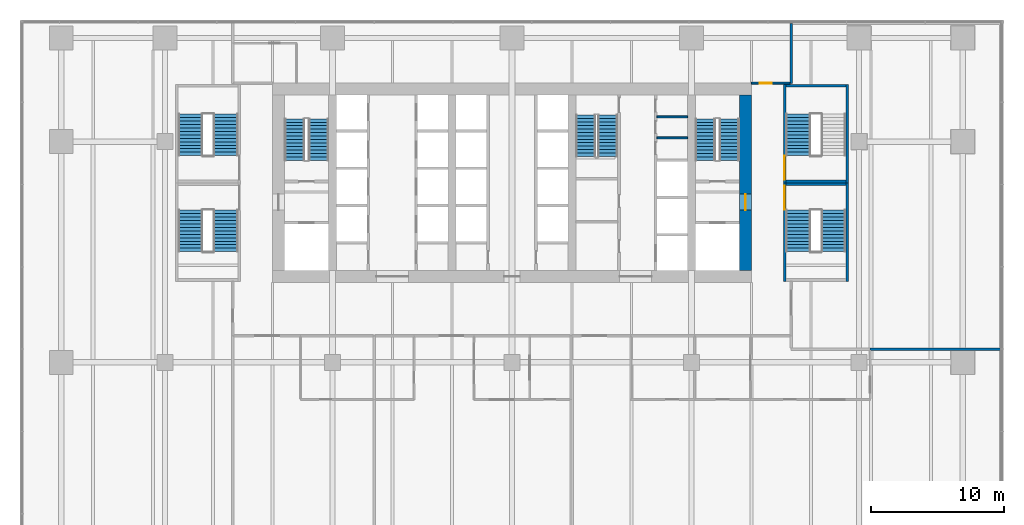
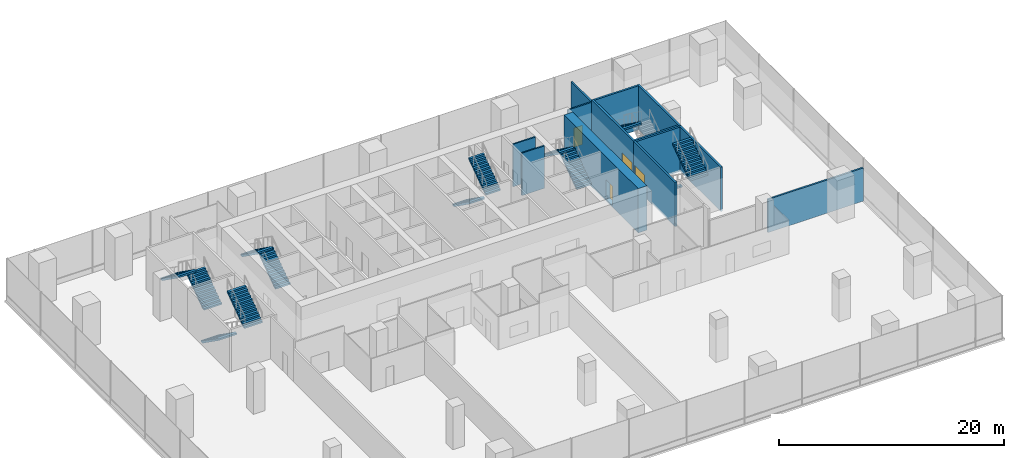
# One storey, part 22 of 29: 13 stair flights, 13 walls, 4 doors, 4 openings, 7 elements without a shape of their own.
"""IFC4 building model written with IfcOpenShell, lengths in metres."""

from ifc_helpers import new_model, si_unit, direction, frame, frame_2d, origin, place, context, subcontext, project, spatial, polyline, rectangle, outline, extrude, material, layer, layer_set, type_object, element, fill, aggregate, save


model = new_model("IFC4")

# Units and contexts
model_context = context("Model", 3, precision=1e-05, world=origin(), true_north=direction((0.0, 1.0)))
body_context = subcontext(model_context, "Body", "Model", "MODEL_VIEW")
ifc_project = project(units=[si_unit("LENGTHUNIT", "METRE"), si_unit("AREAUNIT", "SQUARE_METRE"), si_unit("VOLUMEUNIT", "CUBIC_METRE"), si_unit("PLANEANGLEUNIT", "RADIAN"), si_unit("MASSUNIT", "GRAM", prefix="KILO")], contexts=[model_context])

# Site, building, storey
site_placement = place(None, origin())
site = spatial("IfcSite", under=ifc_project, at=site_placement, CompositionType="ELEMENT")
building_placement = place(site_placement, origin())
building = spatial("IfcBuilding", under=site, at=building_placement, Name="Rattan Terrace Tower", CompositionType="ELEMENT")
storey_placement = place(building_placement, frame((0.0, 0.0, 12.60009765625)))
storey = spatial("IfcBuildingStorey", under=building, at=storey_placement, Name="L02", CompositionType="ELEMENT", Elevation=12.60009765625)

# Walls
ifc_material_1 = material(Name="Gypsum board partition")
ifc_layer_1 = layer(ifc_material_1, 0.14990234375)
ifc_layer_set_1 = layer_set([ifc_layer_1], Name="Core partition 150")
wall_type_1 = type_object("IfcWallType", Name="Core partition 150", PredefinedType="PARTITIONING", material=ifc_layer_set_1)
for number, where, z_axis, x_axis, name in (
    (1, (10.89990234375, 3.384033203125, 0.0), (0.0, 0.0, 1.0), (1.0, 0.0, 0.0), "Riser room wall"),
    (2, (10.89990234375, 4.968017578125, 0.0), (0.0, 0.0, 1.0), (1.0, 0.0, 0.0), "Riser room wall"),
):
    element("IfcWall", number, at=place(storey_placement, frame(where, z_axis=z_axis, x_axis=x_axis)), inside=storey, type_object=wall_type_1, Name=name, PredefinedType="PARTITIONING", context=body_context, shape_type="SweptSolid", body=[
        extrude(rectangle(XDim=2.300048828125, YDim=0.14990234375, at=frame_2d((1.14990234375, 0.0))), origin(), (0.0, 0.0, 1.0), 4.599853515625),
    ])

# Wall, opening, door
ifc_material_2 = material(Name="Concrete C70/85", Category="concrete")
ifc_layer_2 = layer(ifc_material_2, 0.89990234375)
ifc_layer_set_2 = layer_set([ifc_layer_2], Name="Core ring wall 900 C70/85")
wall_type_2 = type_object("IfcWallType", Name="Core ring wall 900 C70/85", PredefinedType="SHEAR", material=ifc_layer_set_2)
wall_1_placement = place(storey_placement, frame((17.550048828125, -6.60009765625, -0.2001953125), z_axis=(0.0, 0.0, 1.0), x_axis=(0.0, 1.0, 0.0)))
wall_1 = element("IfcWall", 3, at=wall_1_placement, inside=storey, type_object=wall_type_2, Name="Rear core wall east", PredefinedType="SHEAR", context=body_context, shape_type="SweptSolid", body=[
    extrude(rectangle(XDim=13.2001953125, YDim=0.89990234375, at=frame_2d((6.60009765625, 0.0))), origin(), (0.0, 0.0, 1.0), 4.800048828125),
])
opening_1_placement = place(wall_1_placement, frame((4.550048828125, 0.0, 0.199951171875)))
opening_1 = element("IfcOpeningElement", 4, at=opening_1_placement, cuts=wall_1, Name="Opening L02-D003", PredefinedType="OPENING", context=body_context, shape_type="SweptSolid", body=[
    extrude(rectangle(XDim=1.199951171875, YDim=2.10009765625, at=frame_2d((0.60009765625, 1.050048828125))), frame((0.0, 0.46044921875, 0.0), z_axis=(0.0, -1.0, 0.0), x_axis=(1.0, 0.0, 0.0)), (0.0, 0.0, 1.0), 0.9208984375),
])
ifc_material_3 = material(Name="Hollow-metal fire door leaf")
door_type_1 = type_object("IfcDoorType", Name="Core fire-fighting lobby door 1200", OperationType="NOTDEFINED", PredefinedType="DOOR", material=ifc_material_3)
door_1_placement = place(opening_1_placement, origin())
door_1 = element("IfcDoor", 5, at=door_1_placement, inside=storey, type_object=door_type_1, Name="Door L02-D003", OperationType="SINGLE_SWING_LEFT", OverallHeight=2.10009765625, OverallWidth=1.199951171875, PredefinedType="DOOR", context=body_context, shape_type="SweptSolid", body=[
    extrude(rectangle(XDim=1.199951171875, YDim=2.10009765625, at=frame_2d((0.60009765625, 1.050048828125))), frame((0.0, 0.02490234375, 0.0), z_axis=(0.0, -1.0, 0.0), x_axis=(1.0, 0.0, 0.0)), (0.0, 0.0, 1.0), 0.050048828125),
])
fill(opening_1, door_1)

# Walls
ifc_material_4 = material(Name="Double steel stud acoustic partition, gypsum board, mineral wool, fire rated", Category="steel")
ifc_layer_3 = layer(ifc_material_4, 0.179931640625)
ifc_layer_set_3 = layer_set([ifc_layer_3], Name="Floors Acoustic Party Wall 180")
wall_type_3 = type_object("IfcWallType", Name="Floors Acoustic Party Wall 180", PredefinedType="PARTITIONING", material=ifc_layer_set_3)
wall_2_placement = place(storey_placement, frame((26.93994140625, -12.4990234375, 0.0), z_axis=(0.0, 0.0, 1.0), x_axis=(1.0, 0.0, 0.0)))
element("IfcWall", 6, at=wall_2_placement, inside=storey, type_object=wall_type_3, Name="pt-L02-035", PredefinedType="PARTITIONING", context=body_context, shape_type="SweptSolid", body=[
    extrude(rectangle(XDim=9.800048828125, YDim=0.179931640625, at=frame_2d((4.89990234375, 0.0))), origin(), (0.0, 0.0, 1.0), 3.599853515625),
])
wall_3_placement = place(storey_placement, frame((21.0, 7.47998046875, 0.0), z_axis=(0.0, 0.0, 1.0), x_axis=(0.0, 1.0, 0.0)))
element("IfcWall", 7, at=wall_3_placement, inside=storey, type_object=wall_type_3, Name="pt-L02-041", PredefinedType="PARTITIONING", context=body_context, shape_type="SweptSolid", body=[
    extrude(rectangle(XDim=4.510009765625, YDim=0.179931640625, at=frame_2d((2.2548828125, 0.0))), origin(), (0.0, 0.0, 1.0), 3.599853515625),
])

# Wall, opening, door
ifc_material_5 = material(Name="Gypsum board partition on steel studs, fire rated", Category="steel")
ifc_layer_4 = layer(ifc_material_5, 0.14990234375)
ifc_layer_set_4 = layer_set([ifc_layer_4], Name="Floors Tenancy Wall 150")
wall_type_4 = type_object("IfcWallType", Name="Floors Tenancy Wall 150", PredefinedType="PARTITIONING", material=ifc_layer_set_4)
wall_4_placement = place(storey_placement, frame((18.0, 7.4990234375, 0.0), z_axis=(0.0, 0.0, 1.0), x_axis=(1.0, 0.0, 0.0)))
wall_4 = element("IfcWall", 8, at=wall_4_placement, inside=storey, type_object=wall_type_4, Name="pt-L02-013", PredefinedType="PARTITIONING", context=body_context, shape_type="SweptSolid", body=[
    extrude(rectangle(XDim=2.909912109375, YDim=0.14990234375, at=frame_2d((1.455078125, 0.0))), origin(), (0.0, 0.0, 1.0), 4.2998046875),
])
opening_2_placement = place(wall_4_placement, frame((0.6279296875, 0.0, 0.0)))
opening_2 = element("IfcOpeningElement", 9, at=opening_2_placement, cuts=wall_4, Name="Opening L02-D112", PredefinedType="OPENING", context=body_context, shape_type="SweptSolid", body=[
    extrude(rectangle(XDim=0.89990234375, YDim=2.10009765625, at=frame_2d((0.449951171875, 1.050048828125))), frame((0.0, 0.08544921875, 0.0), z_axis=(0.0, -1.0, 0.0), x_axis=(1.0, 0.0, 0.0)), (0.0, 0.0, 1.0), 0.1708984375),
])
ifc_material_6 = material(Name="Steel fire door set", Category="steel")
door_type_2 = type_object("IfcDoorType", Name="Floors Fire Door FD30S 900x2100", OperationType="NOTDEFINED", PredefinedType="DOOR", material=ifc_material_6)
door_2_placement = place(opening_2_placement, origin())
door_2 = element("IfcDoor", 10, at=door_2_placement, inside=storey, type_object=door_type_2, Name="d-L02-112", OperationType="SINGLE_SWING_LEFT", OverallHeight=2.10009765625, OverallWidth=0.89990234375, PredefinedType="DOOR", context=body_context, shape_type="SweptSolid", body=[
    extrude(rectangle(XDim=0.89990234375, YDim=2.10009765625, at=frame_2d((0.449951171875, 1.050048828125))), frame((0.0, 0.02490234375, 0.0), z_axis=(0.0, -1.0, 0.0), x_axis=(1.0, 0.0, 0.0)), (0.0, 0.0, 1.0), 0.050048828125),
])
fill(opening_2, door_2)

ifc_material_7 = material(Name="Concrete C40/50", Category="concrete")
ifc_layer_5 = layer(ifc_material_7, 0.199951171875)
ifc_layer_set_5 = layer_set([ifc_layer_5], Name="Podium exit stair shaft wall 200")
wall_type_5 = type_object("IfcWallType", Name="Podium exit stair shaft wall 200", PredefinedType="SHEAR", material=ifc_layer_set_5)
wall_5_placement = place(storey_placement, frame((20.5, -7.39990234375, -0.2001953125), z_axis=(0.0, 0.0, 1.0), x_axis=(0.0, 1.0, 0.0)))
wall_5 = element("IfcWall", 11, at=wall_5_placement, inside=storey, type_object=wall_type_5, Name="L02 stair S6 shaft wall", PredefinedType="SHEAR", context=body_context, shape_type="SweptSolid", body=[
    extrude(rectangle(XDim=7.39990234375, YDim=0.199951171875, at=frame_2d((3.699951171875, 0.0))), origin(), (0.0, 0.0, 1.0), 4.800048828125),
])
opening_3_placement = place(wall_5_placement, frame((5.375, 0.0, 0.199951171875)))
opening_3 = element("IfcOpeningElement", 12, at=opening_3_placement, cuts=wall_5, Name="Opening L02-D903", PredefinedType="OPENING", context=body_context, shape_type="SweptSolid", body=[
    extrude(rectangle(XDim=1.800048828125, YDim=2.10009765625, at=frame_2d((0.89990234375, 1.050048828125))), frame((0.0, 0.110595703125, 0.0), z_axis=(0.0, -1.0, 0.0), x_axis=(1.0, 0.0, 0.0)), (0.0, 0.0, 1.0), 0.220947265625),
])
ifc_material_8 = material(Name="Hollow-metal fire door leaf")
door_type_3 = type_object("IfcDoorType", Name="Podium exit stair door pair 1800", OperationType="DOUBLE_DOOR_SINGLE_SWING", PredefinedType="DOOR", material=ifc_material_8)
door_3_placement = place(opening_3_placement, origin())
door_3 = element("IfcDoor", 13, at=door_3_placement, inside=storey, type_object=door_type_3, Name="Door L02-D903", OperationType="DOUBLE_DOOR_SINGLE_SWING", OverallHeight=2.10009765625, OverallWidth=1.800048828125, PredefinedType="DOOR", context=body_context, shape_type="SweptSolid", body=[
    extrude(rectangle(XDim=1.800048828125, YDim=2.10009765625, at=frame_2d((0.89990234375, 1.050048828125))), frame((0.0, 0.02490234375, 0.0), z_axis=(0.0, -1.0, 0.0), x_axis=(1.0, 0.0, 0.0)), (0.0, 0.0, 1.0), 0.050048828125),
])
fill(opening_3, door_3)

# Walls
wall_6_placement = place(storey_placement, frame((25.199951171875, -7.39990234375, -0.2001953125), z_axis=(0.0, 0.0, 1.0), x_axis=(0.0, 1.0, 0.0)))
element("IfcWall", 14, at=wall_6_placement, inside=storey, type_object=wall_type_5, Name="L02 stair S6 shaft wall", PredefinedType="SHEAR", context=body_context, shape_type="SweptSolid", body=[
    extrude(rectangle(XDim=7.39990234375, YDim=0.199951171875, at=frame_2d((3.699951171875, 0.0))), origin(), (0.0, 0.0, 1.0), 4.800048828125),
])
wall_7_placement = place(storey_placement, frame((20.60009765625, -0.10009765625, -0.2001953125), z_axis=(0.0, 0.0, 1.0), x_axis=(1.0, 0.0, 0.0)))
element("IfcWall", 15, at=wall_7_placement, inside=storey, type_object=wall_type_5, Name="L02 stair S6 shaft wall", PredefinedType="SHEAR", context=body_context, shape_type="SweptSolid", body=[
    extrude(rectangle(XDim=4.5, YDim=0.199951171875, at=frame_2d((2.25, 0.0))), origin(), (0.0, 0.0, 1.0), 4.800048828125),
])

# Wall, opening, door
wall_8_placement = place(storey_placement, frame((20.5, 0.0, -0.2001953125), z_axis=(0.0, 0.0, 1.0), x_axis=(0.0, 1.0, 0.0)))
wall_8 = element("IfcWall", 16, at=wall_8_placement, inside=storey, type_object=wall_type_5, Name="L02 stair S7 shaft wall", PredefinedType="SHEAR", context=body_context, shape_type="SweptSolid", body=[
    extrude(rectangle(XDim=7.39990234375, YDim=0.199951171875, at=frame_2d((3.699951171875, 0.0))), origin(), (0.0, 0.0, 1.0), 4.800048828125),
])
opening_4_placement = place(wall_8_placement, frame((0.22509765625, 0.0, 0.199951171875)))
opening_4 = element("IfcOpeningElement", 17, at=opening_4_placement, cuts=wall_8, Name="Opening L02-D904", PredefinedType="OPENING", context=body_context, shape_type="SweptSolid", body=[
    extrude(rectangle(XDim=1.800048828125, YDim=2.10009765625, at=frame_2d((0.89990234375, 1.050048828125))), frame((0.0, 0.110595703125, 0.0), z_axis=(0.0, -1.0, 0.0), x_axis=(1.0, 0.0, 0.0)), (0.0, 0.0, 1.0), 0.220947265625),
])
door_4_placement = place(opening_4_placement, origin())
door_4 = element("IfcDoor", 18, at=door_4_placement, inside=storey, type_object=door_type_3, Name="Door L02-D904", OperationType="DOUBLE_DOOR_SINGLE_SWING", OverallHeight=2.10009765625, OverallWidth=1.800048828125, PredefinedType="DOOR", context=body_context, shape_type="SweptSolid", body=[
    extrude(rectangle(XDim=1.800048828125, YDim=2.10009765625, at=frame_2d((0.89990234375, 1.050048828125))), frame((0.0, 0.02490234375, 0.0), z_axis=(0.0, -1.0, 0.0), x_axis=(1.0, 0.0, 0.0)), (0.0, 0.0, 1.0), 0.050048828125),
])
fill(opening_4, door_4)

# Walls
wall_9_placement = place(storey_placement, frame((25.199951171875, 0.0, -0.2001953125), z_axis=(0.0, 0.0, 1.0), x_axis=(0.0, 1.0, 0.0)))
element("IfcWall", 19, at=wall_9_placement, inside=storey, type_object=wall_type_5, Name="L02 stair S7 shaft wall", PredefinedType="SHEAR", context=body_context, shape_type="SweptSolid", body=[
    extrude(rectangle(XDim=7.39990234375, YDim=0.199951171875, at=frame_2d((3.699951171875, 0.0))), origin(), (0.0, 0.0, 1.0), 4.800048828125),
])
for number, where, z_axis, x_axis, name in (
    (20, (20.60009765625, 7.300048828125, -0.2001953125), (0.0, 0.0, 1.0), (1.0, 0.0, 0.0), "L02 stair S7 shaft wall"),
    (21, (20.60009765625, 0.10009765625, -0.2001953125), (0.0, 0.0, 1.0), (1.0, 0.0, 0.0), "L02 stair S7 shaft wall"),
):
    element("IfcWall", number, at=place(storey_placement, frame(where, z_axis=z_axis, x_axis=x_axis)), inside=storey, type_object=wall_type_5, Name=name, PredefinedType="SHEAR", context=body_context, shape_type="SweptSolid", body=[
        extrude(rectangle(XDim=4.5, YDim=0.199951171875, at=frame_2d((2.25, 0.0))), origin(), (0.0, 0.0, 1.0), 4.800048828125),
    ])

# Stair, stair flights
ifc_material_9 = material(Name="Concrete C40/50", Category="concrete")
stair_type_1 = type_object("IfcStairType", Name="Core exit stair 1500", PredefinedType="HALF_TURN_STAIR", material=ifc_material_9)
stair_1_placement = place(storey_placement, origin())
stair_1 = element("IfcStair", 22, at=stair_1_placement, inside=storey, type_object=stair_type_1, Name="L02 exit stair 1", PredefinedType="HALF_TURN_STAIR")
ifc_material_10 = material(Name="Concrete C40/50", Category="concrete")
stair_flight_type_1 = type_object("IfcStairFlightType", Name="Core exit stair flight 1500", PredefinedType="STRAIGHT", material=ifc_material_10)
stair_flight_1_placement = place(storey_placement, frame((-14.550048828125, 1.699951171875, 0.0), z_axis=(0.0, 0.0, 1.0), x_axis=(0.0, 1.0, 0.0)))
stair_flight_1 = element("IfcStairFlight", 23, at=stair_flight_1_placement, type_object=stair_flight_type_1, Name="S1 flight 1", NumberOfRisers=13, NumberOfTreads=12, PredefinedType="STRAIGHT", RiserHeight=0.184615385, TreadLength=0.26, context=body_context, shape_type="SweptSolid", body=[
    extrude(outline(polyline([(0.0, 0.0), (0.0, 0.1845703125), (0.260009765625, 0.1845703125), (0.260009765625, 0.369140625), (0.52001953125, 0.369140625), (0.52001953125, 0.553955078125), (0.780029296875, 0.553955078125), (0.780029296875, 0.738525390625), (1.0400390625, 0.738525390625), (1.0400390625, 0.923095703125), (1.300048828125, 0.923095703125), (1.300048828125, 1.107666015625), (1.56005859375, 1.107666015625), (1.56005859375, 1.292236328125), (1.820068359375, 1.292236328125), (1.820068359375, 1.476806640625), (2.080078125, 1.476806640625), (2.080078125, 1.66162109375), (2.340087890625, 1.66162109375), (2.340087890625, 1.84619140625), (2.60009765625, 1.84619140625), (2.60009765625, 2.03076171875), (2.860107421875, 2.03076171875), (2.860107421875, 2.21533203125), (3.1201171875, 2.21533203125), (3.1201171875, 2.39990234375), (3.1201171875, 2.031494140625), (0.259033203125, 0.0), (0.0, 0.0)])), frame((0.0, 0.75, 0.0), z_axis=(0.0, -1.0, 0.0), x_axis=(1.0, 0.0, 0.0)), (0.0, 0.0, 1.0), 1.5),
])
stair_flight_2_placement = place(storey_placement, frame((-16.35009765625, 4.820068359375, 2.39990234375), z_axis=(0.0, 0.0, 1.0), x_axis=(0.0, -1.0, 0.0)))
stair_flight_2 = element("IfcStairFlight", 24, at=stair_flight_2_placement, type_object=stair_flight_type_1, Name="S1 flight 2", NumberOfRisers=13, NumberOfTreads=12, PredefinedType="STRAIGHT", RiserHeight=0.184615385, TreadLength=0.26, context=body_context, shape_type="SweptSolid", body=[
    extrude(outline(polyline([(0.0, 0.0), (0.0, 0.1845703125), (0.260009765625, 0.1845703125), (0.260009765625, 0.369140625), (0.52001953125, 0.369140625), (0.52001953125, 0.553955078125), (0.780029296875, 0.553955078125), (0.780029296875, 0.738525390625), (1.0400390625, 0.738525390625), (1.0400390625, 0.923095703125), (1.300048828125, 0.923095703125), (1.300048828125, 1.107666015625), (1.56005859375, 1.107666015625), (1.56005859375, 1.292236328125), (1.820068359375, 1.292236328125), (1.820068359375, 1.476806640625), (2.080078125, 1.476806640625), (2.080078125, 1.66162109375), (2.340087890625, 1.66162109375), (2.340087890625, 1.84619140625), (2.60009765625, 1.84619140625), (2.60009765625, 2.03076171875), (2.860107421875, 2.03076171875), (2.860107421875, 2.21533203125), (3.1201171875, 2.21533203125), (3.1201171875, 2.39990234375), (3.1201171875, 2.031494140625), (0.259033203125, 0.0), (0.0, 0.0)])), frame((0.0, 0.75, 0.0), z_axis=(0.0, -1.0, 0.0), x_axis=(1.0, 0.0, 0.0)), (0.0, 0.0, 1.0), 1.5),
])
aggregate(stair_1, [stair_flight_1, stair_flight_2])

stair_2_placement = place(storey_placement, origin())
stair_2 = element("IfcStair", 25, at=stair_2_placement, inside=storey, type_object=stair_type_1, Name="L02 exit stair 2", PredefinedType="HALF_TURN_STAIR")
stair_flight_3_placement = place(storey_placement, frame((16.35009765625, 1.699951171875, 0.0), z_axis=(0.0, 0.0, 1.0), x_axis=(0.0, 1.0, 0.0)))
stair_flight_3 = element("IfcStairFlight", 26, at=stair_flight_3_placement, type_object=stair_flight_type_1, Name="S2 flight 1", NumberOfRisers=13, NumberOfTreads=12, PredefinedType="STRAIGHT", RiserHeight=0.184615385, TreadLength=0.26, context=body_context, shape_type="SweptSolid", body=[
    extrude(outline(polyline([(0.0, 0.0), (0.0, 0.1845703125), (0.260009765625, 0.1845703125), (0.260009765625, 0.369140625), (0.52001953125, 0.369140625), (0.52001953125, 0.553955078125), (0.780029296875, 0.553955078125), (0.780029296875, 0.738525390625), (1.0400390625, 0.738525390625), (1.0400390625, 0.923095703125), (1.300048828125, 0.923095703125), (1.300048828125, 1.107666015625), (1.56005859375, 1.107666015625), (1.56005859375, 1.292236328125), (1.820068359375, 1.292236328125), (1.820068359375, 1.476806640625), (2.080078125, 1.476806640625), (2.080078125, 1.66162109375), (2.340087890625, 1.66162109375), (2.340087890625, 1.84619140625), (2.60009765625, 1.84619140625), (2.60009765625, 2.03076171875), (2.860107421875, 2.03076171875), (2.860107421875, 2.21533203125), (3.1201171875, 2.21533203125), (3.1201171875, 2.39990234375), (3.1201171875, 2.031494140625), (0.259033203125, 0.0), (0.0, 0.0)])), frame((0.0, 0.75, 0.0), z_axis=(0.0, -1.0, 0.0), x_axis=(1.0, 0.0, 0.0)), (0.0, 0.0, 1.0), 1.5),
])
stair_flight_4_placement = place(storey_placement, frame((14.550048828125, 4.820068359375, 2.39990234375), z_axis=(0.0, 0.0, 1.0), x_axis=(0.0, -1.0, 0.0)))
stair_flight_4 = element("IfcStairFlight", 27, at=stair_flight_4_placement, type_object=stair_flight_type_1, Name="S2 flight 2", NumberOfRisers=13, NumberOfTreads=12, PredefinedType="STRAIGHT", RiserHeight=0.184615385, TreadLength=0.26, context=body_context, shape_type="SweptSolid", body=[
    extrude(outline(polyline([(0.0, 0.0), (0.0, 0.1845703125), (0.260009765625, 0.1845703125), (0.260009765625, 0.369140625), (0.52001953125, 0.369140625), (0.52001953125, 0.553955078125), (0.780029296875, 0.553955078125), (0.780029296875, 0.738525390625), (1.0400390625, 0.738525390625), (1.0400390625, 0.923095703125), (1.300048828125, 0.923095703125), (1.300048828125, 1.107666015625), (1.56005859375, 1.107666015625), (1.56005859375, 1.292236328125), (1.820068359375, 1.292236328125), (1.820068359375, 1.476806640625), (2.080078125, 1.476806640625), (2.080078125, 1.66162109375), (2.340087890625, 1.66162109375), (2.340087890625, 1.84619140625), (2.60009765625, 1.84619140625), (2.60009765625, 2.03076171875), (2.860107421875, 2.03076171875), (2.860107421875, 2.21533203125), (3.1201171875, 2.21533203125), (3.1201171875, 2.39990234375), (3.1201171875, 2.031494140625), (0.259033203125, 0.0), (0.0, 0.0)])), frame((0.0, 0.75, 0.0), z_axis=(0.0, -1.0, 0.0), x_axis=(1.0, 0.0, 0.0)), (0.0, 0.0, 1.0), 1.5),
])
aggregate(stair_2, [stair_flight_3, stair_flight_4])

stair_3_placement = place(storey_placement, origin())
stair_3 = element("IfcStair", 28, at=stair_3_placement, inside=storey, type_object=stair_type_1, Name="L02 exit stair 3", PredefinedType="HALF_TURN_STAIR")
stair_flight_5_placement = place(storey_placement, frame((5.550048828125, 5.10009765625, 0.0), z_axis=(0.0, 0.0, 1.0), x_axis=(0.0, -1.0, 0.0)))
stair_flight_5 = element("IfcStairFlight", 29, at=stair_flight_5_placement, type_object=stair_flight_type_1, Name="S3 flight 1", NumberOfRisers=13, NumberOfTreads=12, PredefinedType="STRAIGHT", RiserHeight=0.184615385, TreadLength=0.26, context=body_context, shape_type="SweptSolid", body=[
    extrude(outline(polyline([(0.0, 0.0), (0.0, 0.1845703125), (0.260009765625, 0.1845703125), (0.260009765625, 0.369140625), (0.52001953125, 0.369140625), (0.52001953125, 0.553955078125), (0.780029296875, 0.553955078125), (0.780029296875, 0.738525390625), (1.0400390625, 0.738525390625), (1.0400390625, 0.923095703125), (1.300048828125, 0.923095703125), (1.300048828125, 1.107666015625), (1.56005859375, 1.107666015625), (1.56005859375, 1.292236328125), (1.820068359375, 1.292236328125), (1.820068359375, 1.476806640625), (2.080078125, 1.476806640625), (2.080078125, 1.66162109375), (2.340087890625, 1.66162109375), (2.340087890625, 1.84619140625), (2.60009765625, 1.84619140625), (2.60009765625, 2.03076171875), (2.860107421875, 2.03076171875), (2.860107421875, 2.21533203125), (3.1201171875, 2.21533203125), (3.1201171875, 2.39990234375), (3.1201171875, 2.031494140625), (0.259033203125, 0.0), (0.0, 0.0)])), frame((0.0, 0.75, 0.0), z_axis=(0.0, -1.0, 0.0), x_axis=(1.0, 0.0, 0.0)), (0.0, 0.0, 1.0), 1.5),
])
stair_flight_6_placement = place(storey_placement, frame((7.199951171875, 1.97998046875, 2.39990234375), z_axis=(0.0, 0.0, 1.0), x_axis=(0.0, 1.0, 0.0)))
stair_flight_6 = element("IfcStairFlight", 30, at=stair_flight_6_placement, type_object=stair_flight_type_1, Name="S3 flight 2", NumberOfRisers=13, NumberOfTreads=12, PredefinedType="STRAIGHT", RiserHeight=0.184615385, TreadLength=0.26, context=body_context, shape_type="SweptSolid", body=[
    extrude(outline(polyline([(0.0, 0.0), (0.0, 0.1845703125), (0.260009765625, 0.1845703125), (0.260009765625, 0.369140625), (0.52001953125, 0.369140625), (0.52001953125, 0.553955078125), (0.780029296875, 0.553955078125), (0.780029296875, 0.738525390625), (1.0400390625, 0.738525390625), (1.0400390625, 0.923095703125), (1.300048828125, 0.923095703125), (1.300048828125, 1.107666015625), (1.56005859375, 1.107666015625), (1.56005859375, 1.292236328125), (1.820068359375, 1.292236328125), (1.820068359375, 1.476806640625), (2.080078125, 1.476806640625), (2.080078125, 1.66162109375), (2.340087890625, 1.66162109375), (2.340087890625, 1.84619140625), (2.60009765625, 1.84619140625), (2.60009765625, 2.03076171875), (2.860107421875, 2.03076171875), (2.860107421875, 2.21533203125), (3.1201171875, 2.21533203125), (3.1201171875, 2.39990234375), (3.1201171875, 2.031494140625), (0.259033203125, 0.0), (0.0, 0.0)])), frame((0.0, 0.75, 0.0), z_axis=(0.0, -1.0, 0.0), x_axis=(1.0, 0.0, 0.0)), (0.0, 0.0, 1.0), 1.5),
])
aggregate(stair_3, [stair_flight_5, stair_flight_6])

ifc_material_11 = material(Name="Concrete C40/50", Category="concrete")
stair_type_2 = type_object("IfcStairType", Name="Core exit stair 1850", PredefinedType="HALF_TURN_STAIR", material=ifc_material_11)
stair_4_placement = place(storey_placement, origin())
stair_4 = element("IfcStair", 31, at=stair_4_placement, inside=storey, type_object=stair_type_2, Name="L02 exit stair 4", PredefinedType="HALF_TURN_STAIR")
ifc_material_12 = material(Name="Concrete C40/50", Category="concrete")
stair_flight_type_2 = type_object("IfcStairFlightType", Name="Core exit stair flight 1850", PredefinedType="STRAIGHT", material=ifc_material_12)
stair_flight_7_placement = place(storey_placement, frame((-24.175048828125, -2.050048828125, 0.0), z_axis=(0.0, 0.0, 1.0), x_axis=(0.0, -1.0, 0.0)))
stair_flight_7 = element("IfcStairFlight", 32, at=stair_flight_7_placement, type_object=stair_flight_type_2, Name="S4 flight 1", NumberOfRisers=13, NumberOfTreads=12, PredefinedType="STRAIGHT", RiserHeight=0.184615385, TreadLength=0.26, context=body_context, shape_type="SweptSolid", body=[
    extrude(outline(polyline([(0.0, 0.0), (0.0, 0.1845703125), (0.260009765625, 0.1845703125), (0.260009765625, 0.369140625), (0.52001953125, 0.369140625), (0.52001953125, 0.553955078125), (0.780029296875, 0.553955078125), (0.780029296875, 0.738525390625), (1.0400390625, 0.738525390625), (1.0400390625, 0.923095703125), (1.300048828125, 0.923095703125), (1.300048828125, 1.107666015625), (1.56005859375, 1.107666015625), (1.56005859375, 1.292236328125), (1.820068359375, 1.292236328125), (1.820068359375, 1.476806640625), (2.080078125, 1.476806640625), (2.080078125, 1.66162109375), (2.340087890625, 1.66162109375), (2.340087890625, 1.84619140625), (2.60009765625, 1.84619140625), (2.60009765625, 2.03076171875), (2.860107421875, 2.03076171875), (2.860107421875, 2.21533203125), (3.1201171875, 2.21533203125), (3.1201171875, 2.39990234375), (3.1201171875, 2.031494140625), (0.259033203125, 0.0), (0.0, 0.0)])), frame((0.0, 0.925048828125, 0.0), z_axis=(0.0, -1.0, 0.0), x_axis=(1.0, 0.0, 0.0)), (0.0, 0.0, 1.0), 1.85009765625),
])
stair_flight_8_placement = place(storey_placement, frame((-21.52490234375, -5.169921875, 2.39990234375), z_axis=(0.0, 0.0, 1.0), x_axis=(0.0, 1.0, 0.0)))
stair_flight_8 = element("IfcStairFlight", 33, at=stair_flight_8_placement, type_object=stair_flight_type_2, Name="S4 flight 2", NumberOfRisers=13, NumberOfTreads=12, PredefinedType="STRAIGHT", RiserHeight=0.184615385, TreadLength=0.26, context=body_context, shape_type="SweptSolid", body=[
    extrude(outline(polyline([(0.0, 0.0), (0.0, 0.1845703125), (0.260009765625, 0.1845703125), (0.260009765625, 0.369140625), (0.52001953125, 0.369140625), (0.52001953125, 0.553955078125), (0.780029296875, 0.553955078125), (0.780029296875, 0.738525390625), (1.0400390625, 0.738525390625), (1.0400390625, 0.923095703125), (1.300048828125, 0.923095703125), (1.300048828125, 1.107666015625), (1.56005859375, 1.107666015625), (1.56005859375, 1.292236328125), (1.820068359375, 1.292236328125), (1.820068359375, 1.476806640625), (2.080078125, 1.476806640625), (2.080078125, 1.66162109375), (2.340087890625, 1.66162109375), (2.340087890625, 1.84619140625), (2.60009765625, 1.84619140625), (2.60009765625, 2.03076171875), (2.860107421875, 2.03076171875), (2.860107421875, 2.21533203125), (3.1201171875, 2.21533203125), (3.1201171875, 2.39990234375), (3.1201171875, 2.031494140625), (0.259033203125, 0.0), (0.0, 0.0)])), frame((0.0, 0.925048828125, 0.0), z_axis=(0.0, -1.0, 0.0), x_axis=(1.0, 0.0, 0.0)), (0.0, 0.0, 1.0), 1.85009765625),
])
aggregate(stair_4, [stair_flight_7, stair_flight_8])

stair_5_placement = place(storey_placement, origin())
stair_5 = element("IfcStair", 34, at=stair_5_placement, inside=storey, type_object=stair_type_2, Name="L02 exit stair 5", PredefinedType="HALF_TURN_STAIR")
stair_flight_9_placement = place(storey_placement, frame((-21.52490234375, 2.050048828125, 0.0), z_axis=(0.0, 0.0, 1.0), x_axis=(0.0, 1.0, 0.0)))
stair_flight_9 = element("IfcStairFlight", 35, at=stair_flight_9_placement, type_object=stair_flight_type_2, Name="S5 flight 1", NumberOfRisers=13, NumberOfTreads=12, PredefinedType="STRAIGHT", RiserHeight=0.184615385, TreadLength=0.26, context=body_context, shape_type="SweptSolid", body=[
    extrude(outline(polyline([(0.0, 0.0), (0.0, 0.1845703125), (0.260009765625, 0.1845703125), (0.260009765625, 0.369140625), (0.52001953125, 0.369140625), (0.52001953125, 0.553955078125), (0.780029296875, 0.553955078125), (0.780029296875, 0.738525390625), (1.0400390625, 0.738525390625), (1.0400390625, 0.923095703125), (1.300048828125, 0.923095703125), (1.300048828125, 1.107666015625), (1.56005859375, 1.107666015625), (1.56005859375, 1.292236328125), (1.820068359375, 1.292236328125), (1.820068359375, 1.476806640625), (2.080078125, 1.476806640625), (2.080078125, 1.66162109375), (2.340087890625, 1.66162109375), (2.340087890625, 1.84619140625), (2.60009765625, 1.84619140625), (2.60009765625, 2.03076171875), (2.860107421875, 2.03076171875), (2.860107421875, 2.21533203125), (3.1201171875, 2.21533203125), (3.1201171875, 2.39990234375), (3.1201171875, 2.031494140625), (0.259033203125, 0.0), (0.0, 0.0)])), frame((0.0, 0.925048828125, 0.0), z_axis=(0.0, -1.0, 0.0), x_axis=(1.0, 0.0, 0.0)), (0.0, 0.0, 1.0), 1.85009765625),
])
stair_flight_10_placement = place(storey_placement, frame((-24.175048828125, 5.169921875, 2.39990234375), z_axis=(0.0, 0.0, 1.0), x_axis=(0.0, -1.0, 0.0)))
stair_flight_10 = element("IfcStairFlight", 36, at=stair_flight_10_placement, type_object=stair_flight_type_2, Name="S5 flight 2", NumberOfRisers=13, NumberOfTreads=12, PredefinedType="STRAIGHT", RiserHeight=0.184615385, TreadLength=0.26, context=body_context, shape_type="SweptSolid", body=[
    extrude(outline(polyline([(0.0, 0.0), (0.0, 0.1845703125), (0.260009765625, 0.1845703125), (0.260009765625, 0.369140625), (0.52001953125, 0.369140625), (0.52001953125, 0.553955078125), (0.780029296875, 0.553955078125), (0.780029296875, 0.738525390625), (1.0400390625, 0.738525390625), (1.0400390625, 0.923095703125), (1.300048828125, 0.923095703125), (1.300048828125, 1.107666015625), (1.56005859375, 1.107666015625), (1.56005859375, 1.292236328125), (1.820068359375, 1.292236328125), (1.820068359375, 1.476806640625), (2.080078125, 1.476806640625), (2.080078125, 1.66162109375), (2.340087890625, 1.66162109375), (2.340087890625, 1.84619140625), (2.60009765625, 1.84619140625), (2.60009765625, 2.03076171875), (2.860107421875, 2.03076171875), (2.860107421875, 2.21533203125), (3.1201171875, 2.21533203125), (3.1201171875, 2.39990234375), (3.1201171875, 2.031494140625), (0.259033203125, 0.0), (0.0, 0.0)])), frame((0.0, 0.925048828125, 0.0), z_axis=(0.0, -1.0, 0.0), x_axis=(1.0, 0.0, 0.0)), (0.0, 0.0, 1.0), 1.85009765625),
])
aggregate(stair_5, [stair_flight_9, stair_flight_10])

stair_6_placement = place(storey_placement, origin())
stair_6 = element("IfcStair", 37, at=stair_6_placement, inside=storey, type_object=stair_type_2, Name="L02 exit stair 6", PredefinedType="HALF_TURN_STAIR")
stair_flight_11_placement = place(storey_placement, frame((21.52490234375, -2.050048828125, 0.0), z_axis=(0.0, 0.0, 1.0), x_axis=(0.0, -1.0, 0.0)))
stair_flight_11 = element("IfcStairFlight", 38, at=stair_flight_11_placement, type_object=stair_flight_type_2, Name="S6 flight 1", NumberOfRisers=13, NumberOfTreads=12, PredefinedType="STRAIGHT", RiserHeight=0.184615385, TreadLength=0.26, context=body_context, shape_type="SweptSolid", body=[
    extrude(outline(polyline([(0.0, 0.0), (0.0, 0.1845703125), (0.260009765625, 0.1845703125), (0.260009765625, 0.369140625), (0.52001953125, 0.369140625), (0.52001953125, 0.553955078125), (0.780029296875, 0.553955078125), (0.780029296875, 0.738525390625), (1.0400390625, 0.738525390625), (1.0400390625, 0.923095703125), (1.300048828125, 0.923095703125), (1.300048828125, 1.107666015625), (1.56005859375, 1.107666015625), (1.56005859375, 1.292236328125), (1.820068359375, 1.292236328125), (1.820068359375, 1.476806640625), (2.080078125, 1.476806640625), (2.080078125, 1.66162109375), (2.340087890625, 1.66162109375), (2.340087890625, 1.84619140625), (2.60009765625, 1.84619140625), (2.60009765625, 2.03076171875), (2.860107421875, 2.03076171875), (2.860107421875, 2.21533203125), (3.1201171875, 2.21533203125), (3.1201171875, 2.39990234375), (3.1201171875, 2.031494140625), (0.259033203125, 0.0), (0.0, 0.0)])), frame((0.0, 0.925048828125, 0.0), z_axis=(0.0, -1.0, 0.0), x_axis=(1.0, 0.0, 0.0)), (0.0, 0.0, 1.0), 1.85009765625),
])
stair_flight_12_placement = place(storey_placement, frame((24.175048828125, -5.169921875, 2.39990234375), z_axis=(0.0, 0.0, 1.0), x_axis=(0.0, 1.0, 0.0)))
stair_flight_12 = element("IfcStairFlight", 39, at=stair_flight_12_placement, type_object=stair_flight_type_2, Name="S6 flight 2", NumberOfRisers=13, NumberOfTreads=12, PredefinedType="STRAIGHT", RiserHeight=0.184615385, TreadLength=0.26, context=body_context, shape_type="SweptSolid", body=[
    extrude(outline(polyline([(0.0, 0.0), (0.0, 0.1845703125), (0.260009765625, 0.1845703125), (0.260009765625, 0.369140625), (0.52001953125, 0.369140625), (0.52001953125, 0.553955078125), (0.780029296875, 0.553955078125), (0.780029296875, 0.738525390625), (1.0400390625, 0.738525390625), (1.0400390625, 0.923095703125), (1.300048828125, 0.923095703125), (1.300048828125, 1.107666015625), (1.56005859375, 1.107666015625), (1.56005859375, 1.292236328125), (1.820068359375, 1.292236328125), (1.820068359375, 1.476806640625), (2.080078125, 1.476806640625), (2.080078125, 1.66162109375), (2.340087890625, 1.66162109375), (2.340087890625, 1.84619140625), (2.60009765625, 1.84619140625), (2.60009765625, 2.03076171875), (2.860107421875, 2.03076171875), (2.860107421875, 2.21533203125), (3.1201171875, 2.21533203125), (3.1201171875, 2.39990234375), (3.1201171875, 2.031494140625), (0.259033203125, 0.0), (0.0, 0.0)])), frame((0.0, 0.925048828125, 0.0), z_axis=(0.0, -1.0, 0.0), x_axis=(1.0, 0.0, 0.0)), (0.0, 0.0, 1.0), 1.85009765625),
])
aggregate(stair_6, [stair_flight_11, stair_flight_12])

# Stair, stair flight
stair_7_placement = place(storey_placement, origin())
stair_7 = element("IfcStair", 40, at=stair_7_placement, inside=storey, type_object=stair_type_2, Name="L02 exit stair 7", PredefinedType="HALF_TURN_STAIR")
stair_flight_13_placement = place(storey_placement, frame((21.52490234375, 5.169921875, 2.39990234375), z_axis=(0.0, 0.0, 1.0), x_axis=(0.0, -1.0, 0.0)))
stair_flight_13 = element("IfcStairFlight", 41, at=stair_flight_13_placement, type_object=stair_flight_type_2, Name="S7 flight 2", NumberOfRisers=13, NumberOfTreads=12, PredefinedType="STRAIGHT", RiserHeight=0.184615385, TreadLength=0.26, context=body_context, shape_type="SweptSolid", body=[
    extrude(outline(polyline([(0.0, 0.0), (0.0, 0.1845703125), (0.260009765625, 0.1845703125), (0.260009765625, 0.369140625), (0.52001953125, 0.369140625), (0.52001953125, 0.553955078125), (0.780029296875, 0.553955078125), (0.780029296875, 0.738525390625), (1.0400390625, 0.738525390625), (1.0400390625, 0.923095703125), (1.300048828125, 0.923095703125), (1.300048828125, 1.107666015625), (1.56005859375, 1.107666015625), (1.56005859375, 1.292236328125), (1.820068359375, 1.292236328125), (1.820068359375, 1.476806640625), (2.080078125, 1.476806640625), (2.080078125, 1.66162109375), (2.340087890625, 1.66162109375), (2.340087890625, 1.84619140625), (2.60009765625, 1.84619140625), (2.60009765625, 2.03076171875), (2.860107421875, 2.03076171875), (2.860107421875, 2.21533203125), (3.1201171875, 2.21533203125), (3.1201171875, 2.39990234375), (3.1201171875, 2.031494140625), (0.259033203125, 0.0), (0.0, 0.0)])), frame((0.0, 0.925048828125, 0.0), z_axis=(0.0, -1.0, 0.0), x_axis=(1.0, 0.0, 0.0)), (0.0, 0.0, 1.0), 1.85009765625),
])
aggregate(stair_7, [stair_flight_13])

save(model, "model.ifc")
